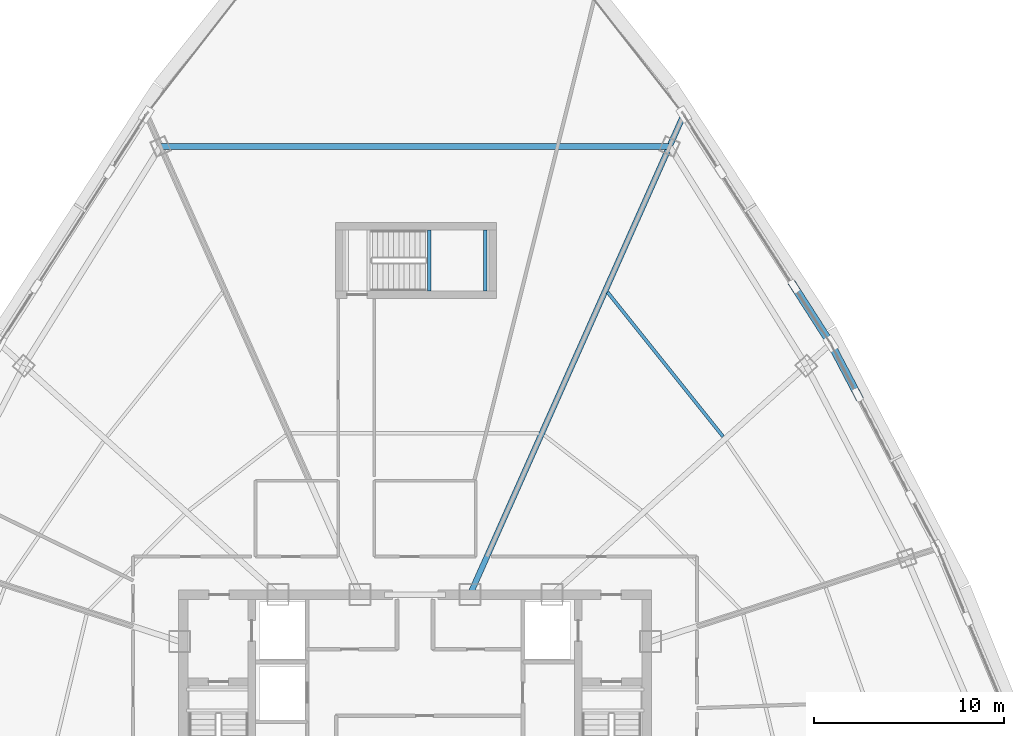
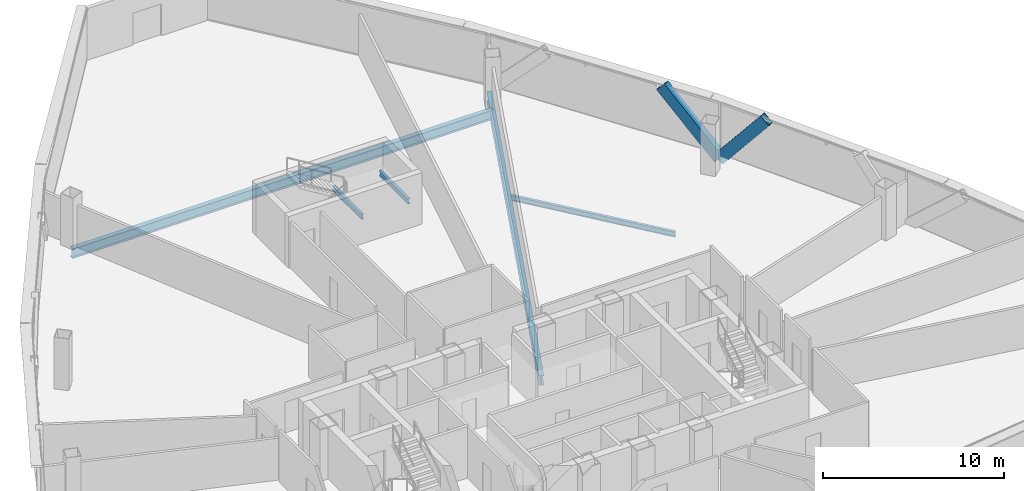
# One storey, part 22 of 37: 5 beams, 2 members.
"""IFC4 building model written with IfcOpenShell, lengths in metres."""

from ifc_helpers import new_model, si_unit, direction, frame, origin, origin_2d, place, context, subcontext, project, spatial, hollow_rectangle, i_section, extrude, source, transform, mapped, material, material_profile, profile_set, type_object, element, save


model = new_model("IFC4")

# Units and contexts
model_context = context("Model", 3, precision=1e-05, world=origin(), true_north=direction((0.0, 1.0)))
body_context = subcontext(model_context, "Body", "Model", "MODEL_VIEW")
ifc_project = project(units=[si_unit("LENGTHUNIT", "METRE"), si_unit("AREAUNIT", "SQUARE_METRE"), si_unit("VOLUMEUNIT", "CUBIC_METRE"), si_unit("PLANEANGLEUNIT", "RADIAN"), si_unit("MASSUNIT", "GRAM", prefix="KILO"), si_unit("THERMODYNAMICTEMPERATUREUNIT", "KELVIN"), si_unit("POWERUNIT", "WATT")], contexts=[model_context])

# Site, building, storey
site_placement = place(None, origin())
site = spatial("IfcSite", under=ifc_project, at=site_placement, CompositionType="ELEMENT")
building_placement = place(site_placement, origin())
building = spatial("IfcBuilding", under=site, at=building_placement, Name="Yunzhuo Pagoda Commons", CompositionType="ELEMENT")
storey_placement = place(building_placement, frame((0.0, 0.0, 255.719970703125)))
storey = spatial("IfcBuildingStorey", under=building, at=storey_placement, Name="L64", CompositionType="ELEMENT", Elevation=255.719970703125)

# Beams
ifc_material = material(Name="Structural steel Q355B", Category="steel")
ifc_material_profile_1 = material_profile(ifc_material, i_section(OverallWidth=0.175048828125, OverallDepth=0.35009765625, WebThickness=0.007080078125, FlangeThickness=0.010986328125, at=origin_2d()), Name="Structural steel Q355B")
ifc_profile_set_1 = profile_set([ifc_material_profile_1], Name="Structural steel Q355B")
beam_type_1 = type_object("IfcBeamType", Name="B-JS2 Joist HN 350x175x7x11", PredefinedType="JOIST", material=ifc_profile_set_1)
shared_shape_1 = source(origin(), body_context, "Body", "SweptSolid", [
    extrude(i_section(OverallWidth=0.175048828125, OverallDepth=0.35009765625, WebThickness=0.007080078125, FlangeThickness=0.010986328125, at=origin_2d()), origin(), (0.0, 0.0, 1.0), 3.199951171875),
])
for number, where, z_axis, x_axis, name in (
    (1, (48.75, 56.199951171875, 1.489990234375), (0.0, 1.0, 0.0), (-1.0, 0.0, 0.0), "L64 ST3 landing support beam 70A"),
    (2, (51.699951171875, 56.199951171875, 1.489990234375), (0.0, 1.0, 0.0), (-1.0, 0.0, 0.0), "L64 ST3 landing support beam 70B"),
):
    element("IfcBeam", number, at=place(storey_placement, frame(where, z_axis=z_axis, x_axis=x_axis)), inside=storey, type_object=beam_type_1, Name=name, PredefinedType="JOIST", context=body_context, shape_type="MappedRepresentation", body=[
        mapped(shared_shape_1, transform((0.0, 0.0, 0.0), scale=1.0)),
    ])
ifc_material_profile_2 = material_profile(ifc_material, i_section(OverallWidth=0.300048828125, OverallDepth=0.64990234375, WebThickness=0.012939453125, FlangeThickness=0.02197265625, at=origin_2d()), Name="Structural steel Q355B")
ifc_profile_set_2 = profile_set([ifc_material_profile_2], Name="Structural steel Q355B")
beam_type_2 = type_object("IfcBeamType", Name="B-RG2 Beam HN 650x300x13x22", PredefinedType="BEAM", material=ifc_profile_set_2)
shared_shape_2 = source(origin(), body_context, "Body", "SweptSolid", [
    extrude(i_section(OverallWidth=0.300048828125, OverallDepth=0.64990234375, WebThickness=0.012939453125, FlangeThickness=0.02197265625, at=origin_2d()), origin(), (0.0, 0.0, 1.0), 26.8134765625),
])
beam_1_placement = place(storey_placement, frame((61.40673828125, 63.81201171875, -0.5849609375), z_axis=(-1.0, 0.0, 0.0), x_axis=(0.0, -1.0, 0.0)))
element("IfcBeam", 3, at=beam_1_placement, inside=storey, type_object=beam_type_2, Name="L64 column-ring beam 8", PredefinedType="BEAM", context=body_context, shape_type="MappedRepresentation", body=[
    mapped(shared_shape_2, transform((0.0, 0.0, 0.0), scale=1.0)),
])
shared_shape_3 = source(origin(), body_context, "Body", "SweptSolid", [
    extrude(i_section(OverallWidth=0.175048828125, OverallDepth=0.35009765625, WebThickness=0.007080078125, FlangeThickness=0.010986328125, at=origin_2d()), origin(), (0.0, 0.0, 1.0), 9.741455078125),
])
beam_2_placement = place(storey_placement, frame((64.226806640625, 48.5244140625, -0.43505859375), z_axis=(-0.624618636222, 0.780929932378, 0.0), x_axis=(-0.780929932378, -0.624618636222, 0.0)))
element("IfcBeam", 4, at=beam_2_placement, inside=storey, type_object=beam_type_1, Name="L64 composite ring joist 2.7", PredefinedType="JOIST", context=body_context, shape_type="MappedRepresentation", body=[
    mapped(shared_shape_3, transform((0.0, 0.0, 0.0), scale=1.0)),
])
shared_shape_4 = source(origin(), body_context, "Body", "SweptSolid", [
    extrude(i_section(OverallWidth=0.300048828125, OverallDepth=0.64990234375, WebThickness=0.012939453125, FlangeThickness=0.02197265625, at=origin_2d()), origin(), (0.0, 0.0, 1.0), 27.535888671875),
])
beam_3_placement = place(storey_placement, frame((62.09375, 65.355224609375, -0.5849609375), z_axis=(-0.406732330498, -0.913547377714, 0.0), x_axis=(0.913547377714, -0.406732330498, 0.0)))
element("IfcBeam", 5, at=beam_3_placement, inside=storey, type_object=beam_type_2, Name="L64 radial floor girder F2C4", PredefinedType="BEAM", context=body_context, shape_type="MappedRepresentation", body=[
    mapped(shared_shape_4, transform((0.0, 0.0, 0.0), scale=1.0)),
])

# Members
ifc_material_profile_3 = material_profile(ifc_material, hollow_rectangle(XDim=0.39990234375, YDim=0.719970703125, WallThickness=0.02392578125, at=origin_2d()), Name="Structural steel Q355B")
ifc_profile_set_3 = profile_set([ifc_material_profile_3], Name="Structural steel Q355B")
member_type = type_object("IfcMemberType", Name="M-DL2 Brace BOX 720x400x24", PredefinedType="BRACE", material=ifc_profile_set_3)
shared_shape_5 = source(origin(), body_context, "Body", "SweptSolid", [
    extrude(hollow_rectangle(XDim=0.39990234375, YDim=0.719970703125, WallThickness=0.02392578125, at=origin_2d()), origin(), (0.0, 0.0, 1.0), 4.811767578125),
])
member_1_placement = place(storey_placement, frame((69.902099609375, 53.420654296875, -0.260009765625), z_axis=(0.29321317022, -0.559586096963, 0.775170585675), x_axis=(0.885768648885, 0.464127030729, 0.0)))
element("IfcMember", 6, at=member_1_placement, inside=storey, type_object=member_type, Name="L64 facade diamond brace F2.2R", PredefinedType="BRACE", context=body_context, shape_type="MappedRepresentation", body=[
    mapped(shared_shape_5, transform((0.0, 0.0, 0.0), scale=1.0)),
])
shared_shape_6 = source(origin(), body_context, "Body", "SweptSolid", [
    extrude(hollow_rectangle(XDim=0.39990234375, YDim=0.719970703125, WallThickness=0.02392578125, at=origin_2d()), origin(), (0.0, 0.0, 1.0), 5.1748046875),
])
member_2_placement = place(storey_placement, frame((69.902099609375, 53.420654296875, -0.260009765625), z_axis=(-0.374229277956, 0.583424010489, 0.72081125928), x_axis=(-0.841722097798, -0.539911020519, 0.0)))
element("IfcMember", 7, at=member_2_placement, inside=storey, type_object=member_type, Name="L64 facade diamond brace F2.3L", PredefinedType="BRACE", context=body_context, shape_type="MappedRepresentation", body=[
    mapped(shared_shape_6, transform((0.0, 0.0, 0.0), scale=1.0)),
])

save(model, "model.ifc")
